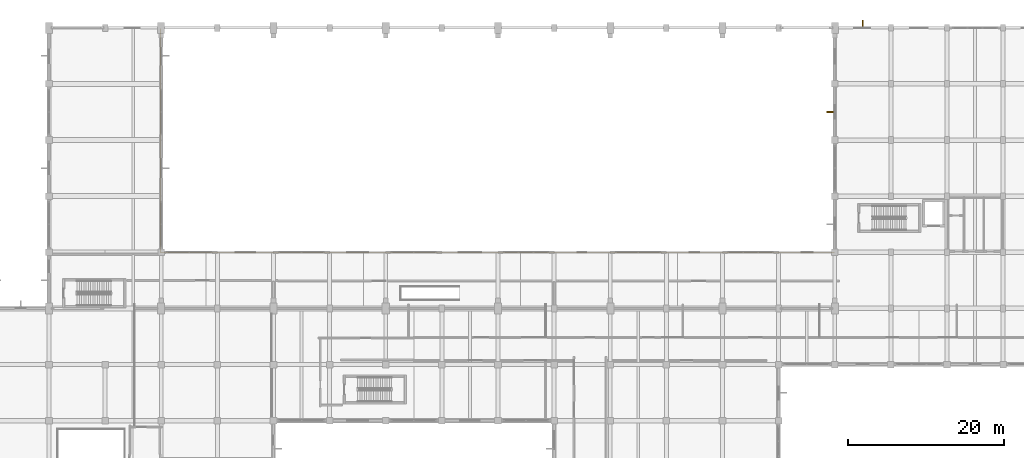
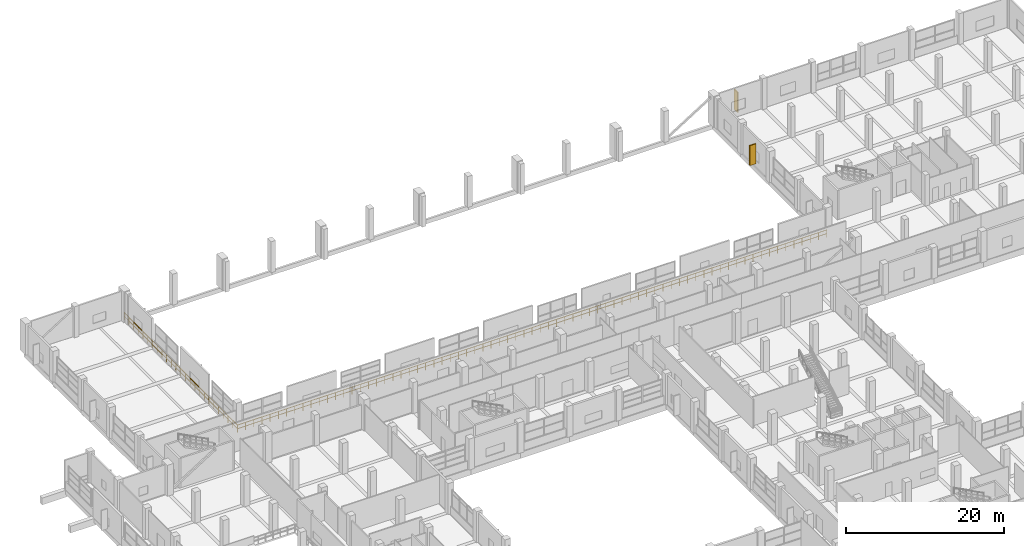
# One storey, part 179 of 181: 2 shading devices, 1 railing.
"""IFC4 building model written with IfcOpenShell, lengths in metres."""

from ifc_helpers import new_model, si_unit, direction, frame, origin, origin_2d, place, context, subcontext, project, spatial, rectangle, circle, extrude, material, type_object, element, save


model = new_model("IFC4")

# Units and contexts
model_context = context("Model", 3, precision=1e-05, world=origin(), true_north=direction((0.0, 1.0)))
body_context = subcontext(model_context, "Body", "Model", "MODEL_VIEW")
ifc_project = project(units=[si_unit("LENGTHUNIT", "METRE"), si_unit("AREAUNIT", "SQUARE_METRE"), si_unit("VOLUMEUNIT", "CUBIC_METRE"), si_unit("PLANEANGLEUNIT", "RADIAN"), si_unit("MASSUNIT", "GRAM", prefix="KILO")], contexts=[model_context])

# Site, building, storey
site_placement = place(None, origin())
site = spatial("IfcSite", under=ifc_project, at=site_placement, CompositionType="ELEMENT")
building_placement = place(site_placement, origin())
building = spatial("IfcBuilding", under=site, at=building_placement, Name="Seraya Terrace Polytechnic", CompositionType="ELEMENT")
storey_placement = place(building_placement, frame((0.0, 0.0, 4.800048828125)))
storey = spatial("IfcBuildingStorey", under=building, at=storey_placement, Name="L01", CompositionType="ELEMENT", Elevation=4.800048828125)

# Shading devices
ifc_material_1 = material(Name="Precast concrete C40/50", Category="concrete")
shading_device_type = type_object("IfcShadingDeviceType", Name="BS-F1", PredefinedType="JALOUSIE", material=ifc_material_1)
for number, where, z_axis, x_axis, name in (
    (1, (114.64990234375, 104.39990234375, 0.449951171875), (0.0, 0.0, 1.0), (-1.0, 0.0, 0.0), "Precast concrete brise-soleil fin L01"),
    (2, (118.800048828125, 115.75, 0.449951171875), (0.0, 0.0, 1.0), (0.0, 1.0, 0.0), "Precast concrete brise-soleil fin L01"),
):
    element("IfcShadingDevice", number, at=place(storey_placement, frame(where, z_axis=z_axis, x_axis=x_axis)), inside=storey, type_object=shading_device_type, Name=name, PredefinedType="JALOUSIE", context=body_context, shape_type="SweptSolid", body=[
        extrude(rectangle(XDim=0.89990234375, YDim=0.14990234375, at=origin_2d()), origin(), (0.0, 0.0, 1.0), 3.10009765625),
    ])

# Railing
ifc_material_2 = material(Name="Steel S355J2", Category="steel")
railing_type = type_object("IfcRailingType", Name="GR-02", PredefinedType="GUARDRAIL", material=ifc_material_2)
railing_placement = place(storey_placement, frame((28.739990234375, 115.080078125, 0.0)))
element("IfcRailing", 3, at=railing_placement, inside=storey, type_object=railing_type, Name="Workshop L01 crane gallery guardrail", PredefinedType="GUARDRAIL", context=body_context, shape_type="SweptSolid", body=[
    extrude(circle(Radius=0.02392578125, at=origin_2d()), frame((0.0, 0.0, 1.10595703125), z_axis=(0.0, -1.0, 0.0), x_axis=(1.0, 0.0, 0.0)), (0.0, 0.0, 1.0), 28.739990234375),
    extrude(circle(Radius=0.02392578125, at=origin_2d()), frame((0.0, 0.0, 0.550048828125), z_axis=(0.0, -1.0, 0.0), x_axis=(1.0, 0.0, 0.0)), (0.0, 0.0, 1.0), 28.739990234375),
    extrude(circle(Radius=0.02392578125, at=origin_2d()), frame((0.0, -28.739990234375, 1.10595703125), z_axis=(1.0, 0.0, 0.0), x_axis=(0.0, 1.0, 0.0)), (0.0, 0.0, 1.0), 86.340087890625),
    extrude(circle(Radius=0.02392578125, at=origin_2d()), frame((0.0, -28.739990234375, 0.550048828125), z_axis=(1.0, 0.0, 0.0), x_axis=(0.0, 1.0, 0.0)), (0.0, 0.0, 1.0), 86.340087890625),
    extrude(circle(Radius=0.02099609375, at=origin_2d()), origin(), (0.0, 0.0, 1.0), 1.081787109375),
    extrude(circle(Radius=0.02099609375, at=origin_2d()), frame((0.0, -1.197509765625, 0.0)), (0.0, 0.0, 1.0), 1.081787109375),
    extrude(circle(Radius=0.02099609375, at=origin_2d()), frame((0.0, -2.39501953125, 0.0)), (0.0, 0.0, 1.0), 1.081787109375),
    extrude(circle(Radius=0.02099609375, at=origin_2d()), frame((0.0, -3.592529296875, 0.0)), (0.0, 0.0, 1.0), 1.081787109375),
    extrude(circle(Radius=0.02099609375, at=origin_2d()), frame((0.0, -4.7900390625, 0.0)), (0.0, 0.0, 1.0), 1.081787109375),
    extrude(circle(Radius=0.02099609375, at=origin_2d()), frame((0.0, -5.987548828125, 0.0)), (0.0, 0.0, 1.0), 1.081787109375),
    extrude(circle(Radius=0.02099609375, at=origin_2d()), frame((0.0, -7.18505859375, 0.0)), (0.0, 0.0, 1.0), 1.081787109375),
    extrude(circle(Radius=0.02099609375, at=origin_2d()), frame((0.0, -8.382568359375, 0.0)), (0.0, 0.0, 1.0), 1.081787109375),
    extrude(circle(Radius=0.02099609375, at=origin_2d()), frame((0.0, -9.580078125, 0.0)), (0.0, 0.0, 1.0), 1.081787109375),
    extrude(circle(Radius=0.02099609375, at=origin_2d()), frame((0.0, -10.777587890625, 0.0)), (0.0, 0.0, 1.0), 1.081787109375),
    extrude(circle(Radius=0.02099609375, at=origin_2d()), frame((0.0, -11.97509765625, 0.0)), (0.0, 0.0, 1.0), 1.081787109375),
    extrude(circle(Radius=0.02099609375, at=origin_2d()), frame((0.0, -13.172607421875, 0.0)), (0.0, 0.0, 1.0), 1.081787109375),
    extrude(circle(Radius=0.02099609375, at=origin_2d()), frame((0.0, -14.3701171875, 0.0)), (0.0, 0.0, 1.0), 1.081787109375),
    extrude(circle(Radius=0.02099609375, at=origin_2d()), frame((0.0, -15.5673828125, 0.0)), (0.0, 0.0, 1.0), 1.081787109375),
    extrude(circle(Radius=0.02099609375, at=origin_2d()), frame((0.0, -16.764892578125, 0.0)), (0.0, 0.0, 1.0), 1.081787109375),
    extrude(circle(Radius=0.02099609375, at=origin_2d()), frame((0.0, -17.96240234375, 0.0)), (0.0, 0.0, 1.0), 1.081787109375),
    extrude(circle(Radius=0.02099609375, at=origin_2d()), frame((0.0, -19.159912109375, 0.0)), (0.0, 0.0, 1.0), 1.081787109375),
    extrude(circle(Radius=0.02099609375, at=origin_2d()), frame((0.0, -20.357421875, 0.0)), (0.0, 0.0, 1.0), 1.081787109375),
    extrude(circle(Radius=0.02099609375, at=origin_2d()), frame((0.0, -21.554931640625, 0.0)), (0.0, 0.0, 1.0), 1.081787109375),
    extrude(circle(Radius=0.02099609375, at=origin_2d()), frame((0.0, -22.75244140625, 0.0)), (0.0, 0.0, 1.0), 1.081787109375),
    extrude(circle(Radius=0.02099609375, at=origin_2d()), frame((0.0, -23.949951171875, 0.0)), (0.0, 0.0, 1.0), 1.081787109375),
    extrude(circle(Radius=0.02099609375, at=origin_2d()), frame((0.0, -25.1474609375, 0.0)), (0.0, 0.0, 1.0), 1.081787109375),
    extrude(circle(Radius=0.02099609375, at=origin_2d()), frame((0.0, -26.344970703125, 0.0)), (0.0, 0.0, 1.0), 1.081787109375),
    extrude(circle(Radius=0.02099609375, at=origin_2d()), frame((0.0, -27.54248046875, 0.0)), (0.0, 0.0, 1.0), 1.081787109375),
    extrude(circle(Radius=0.02099609375, at=origin_2d()), frame((0.0, -28.739990234375, 0.0)), (0.0, 0.0, 1.0), 1.081787109375),
    extrude(circle(Radius=0.02099609375, at=origin_2d()), frame((1.19921875, -28.739990234375, 0.0)), (0.0, 0.0, 1.0), 1.081787109375),
    extrude(circle(Radius=0.02099609375, at=origin_2d()), frame((2.3984375, -28.739990234375, 0.0)), (0.0, 0.0, 1.0), 1.081787109375),
    extrude(circle(Radius=0.02099609375, at=origin_2d()), frame((3.597412109375, -28.739990234375, 0.0)), (0.0, 0.0, 1.0), 1.081787109375),
    extrude(circle(Radius=0.02099609375, at=origin_2d()), frame((4.796630859375, -28.739990234375, 0.0)), (0.0, 0.0, 1.0), 1.081787109375),
    extrude(circle(Radius=0.02099609375, at=origin_2d()), frame((5.995849609375, -28.739990234375, 0.0)), (0.0, 0.0, 1.0), 1.081787109375),
    extrude(circle(Radius=0.02099609375, at=origin_2d()), frame((7.195068359375, -28.739990234375, 0.0)), (0.0, 0.0, 1.0), 1.081787109375),
    extrude(circle(Radius=0.02099609375, at=origin_2d()), frame((8.394287109375, -28.739990234375, 0.0)), (0.0, 0.0, 1.0), 1.081787109375),
    extrude(circle(Radius=0.02099609375, at=origin_2d()), frame((9.59326171875, -28.739990234375, 0.0)), (0.0, 0.0, 1.0), 1.081787109375),
    extrude(circle(Radius=0.02099609375, at=origin_2d()), frame((10.79248046875, -28.739990234375, 0.0)), (0.0, 0.0, 1.0), 1.081787109375),
    extrude(circle(Radius=0.02099609375, at=origin_2d()), frame((11.99169921875, -28.739990234375, 0.0)), (0.0, 0.0, 1.0), 1.081787109375),
    extrude(circle(Radius=0.02099609375, at=origin_2d()), frame((13.19091796875, -28.739990234375, 0.0)), (0.0, 0.0, 1.0), 1.081787109375),
    extrude(circle(Radius=0.02099609375, at=origin_2d()), frame((14.39013671875, -28.739990234375, 0.0)), (0.0, 0.0, 1.0), 1.081787109375),
    extrude(circle(Radius=0.02099609375, at=origin_2d()), frame((15.589111328125, -28.739990234375, 0.0)), (0.0, 0.0, 1.0), 1.081787109375),
    extrude(circle(Radius=0.02099609375, at=origin_2d()), frame((16.788330078125, -28.739990234375, 0.0)), (0.0, 0.0, 1.0), 1.081787109375),
    extrude(circle(Radius=0.02099609375, at=origin_2d()), frame((17.987548828125, -28.739990234375, 0.0)), (0.0, 0.0, 1.0), 1.081787109375),
    extrude(circle(Radius=0.02099609375, at=origin_2d()), frame((19.186767578125, -28.739990234375, 0.0)), (0.0, 0.0, 1.0), 1.081787109375),
    extrude(circle(Radius=0.02099609375, at=origin_2d()), frame((20.3857421875, -28.739990234375, 0.0)), (0.0, 0.0, 1.0), 1.081787109375),
    extrude(circle(Radius=0.02099609375, at=origin_2d()), frame((21.5849609375, -28.739990234375, 0.0)), (0.0, 0.0, 1.0), 1.081787109375),
    extrude(circle(Radius=0.02099609375, at=origin_2d()), frame((22.7841796875, -28.739990234375, 0.0)), (0.0, 0.0, 1.0), 1.081787109375),
    extrude(circle(Radius=0.02099609375, at=origin_2d()), frame((23.9833984375, -28.739990234375, 0.0)), (0.0, 0.0, 1.0), 1.081787109375),
    extrude(circle(Radius=0.02099609375, at=origin_2d()), frame((25.1826171875, -28.739990234375, 0.0)), (0.0, 0.0, 1.0), 1.081787109375),
    extrude(circle(Radius=0.02099609375, at=origin_2d()), frame((26.381591796875, -28.739990234375, 0.0)), (0.0, 0.0, 1.0), 1.081787109375),
    extrude(circle(Radius=0.02099609375, at=origin_2d()), frame((27.580810546875, -28.739990234375, 0.0)), (0.0, 0.0, 1.0), 1.081787109375),
    extrude(circle(Radius=0.02099609375, at=origin_2d()), frame((28.780029296875, -28.739990234375, 0.0)), (0.0, 0.0, 1.0), 1.081787109375),
    extrude(circle(Radius=0.02099609375, at=origin_2d()), frame((29.979248046875, -28.739990234375, 0.0)), (0.0, 0.0, 1.0), 1.081787109375),
    extrude(circle(Radius=0.02099609375, at=origin_2d()), frame((31.178466796875, -28.739990234375, 0.0)), (0.0, 0.0, 1.0), 1.081787109375),
    extrude(circle(Radius=0.02099609375, at=origin_2d()), frame((32.37744140625, -28.739990234375, 0.0)), (0.0, 0.0, 1.0), 1.081787109375),
    extrude(circle(Radius=0.02099609375, at=origin_2d()), frame((33.57666015625, -28.739990234375, 0.0)), (0.0, 0.0, 1.0), 1.081787109375),
    extrude(circle(Radius=0.02099609375, at=origin_2d()), frame((34.77587890625, -28.739990234375, 0.0)), (0.0, 0.0, 1.0), 1.081787109375),
    extrude(circle(Radius=0.02099609375, at=origin_2d()), frame((35.97509765625, -28.739990234375, 0.0)), (0.0, 0.0, 1.0), 1.081787109375),
    extrude(circle(Radius=0.02099609375, at=origin_2d()), frame((37.17431640625, -28.739990234375, 0.0)), (0.0, 0.0, 1.0), 1.081787109375),
    extrude(circle(Radius=0.02099609375, at=origin_2d()), frame((38.373291015625, -28.739990234375, 0.0)), (0.0, 0.0, 1.0), 1.081787109375),
    extrude(circle(Radius=0.02099609375, at=origin_2d()), frame((39.572509765625, -28.739990234375, 0.0)), (0.0, 0.0, 1.0), 1.081787109375),
    extrude(circle(Radius=0.02099609375, at=origin_2d()), frame((40.771728515625, -28.739990234375, 0.0)), (0.0, 0.0, 1.0), 1.081787109375),
    extrude(circle(Radius=0.02099609375, at=origin_2d()), frame((41.970947265625, -28.739990234375, 0.0)), (0.0, 0.0, 1.0), 1.081787109375),
    extrude(circle(Radius=0.02099609375, at=origin_2d()), frame((43.169921875, -28.739990234375, 0.0)), (0.0, 0.0, 1.0), 1.081787109375),
    extrude(circle(Radius=0.02099609375, at=origin_2d()), frame((44.369140625, -28.739990234375, 0.0)), (0.0, 0.0, 1.0), 1.081787109375),
    extrude(circle(Radius=0.02099609375, at=origin_2d()), frame((45.568359375, -28.739990234375, 0.0)), (0.0, 0.0, 1.0), 1.081787109375),
    extrude(circle(Radius=0.02099609375, at=origin_2d()), frame((46.767578125, -28.739990234375, 0.0)), (0.0, 0.0, 1.0), 1.081787109375),
    extrude(circle(Radius=0.02099609375, at=origin_2d()), frame((47.966796875, -28.739990234375, 0.0)), (0.0, 0.0, 1.0), 1.081787109375),
    extrude(circle(Radius=0.02099609375, at=origin_2d()), frame((49.165771484375, -28.739990234375, 0.0)), (0.0, 0.0, 1.0), 1.081787109375),
    extrude(circle(Radius=0.02099609375, at=origin_2d()), frame((50.364990234375, -28.739990234375, 0.0)), (0.0, 0.0, 1.0), 1.081787109375),
    extrude(circle(Radius=0.02099609375, at=origin_2d()), frame((51.564208984375, -28.739990234375, 0.0)), (0.0, 0.0, 1.0), 1.081787109375),
    extrude(circle(Radius=0.02099609375, at=origin_2d()), frame((52.763427734375, -28.739990234375, 0.0)), (0.0, 0.0, 1.0), 1.081787109375),
    extrude(circle(Radius=0.02099609375, at=origin_2d()), frame((53.962646484375, -28.739990234375, 0.0)), (0.0, 0.0, 1.0), 1.081787109375),
    extrude(circle(Radius=0.02099609375, at=origin_2d()), frame((55.16162109375, -28.739990234375, 0.0)), (0.0, 0.0, 1.0), 1.081787109375),
    extrude(circle(Radius=0.02099609375, at=origin_2d()), frame((56.36083984375, -28.739990234375, 0.0)), (0.0, 0.0, 1.0), 1.081787109375),
    extrude(circle(Radius=0.02099609375, at=origin_2d()), frame((57.56005859375, -28.739990234375, 0.0)), (0.0, 0.0, 1.0), 1.081787109375),
    extrude(circle(Radius=0.02099609375, at=origin_2d()), frame((58.75927734375, -28.739990234375, 0.0)), (0.0, 0.0, 1.0), 1.081787109375),
    extrude(circle(Radius=0.02099609375, at=origin_2d()), frame((59.95849609375, -28.739990234375, 0.0)), (0.0, 0.0, 1.0), 1.081787109375),
    extrude(circle(Radius=0.02099609375, at=origin_2d()), frame((61.157470703125, -28.739990234375, 0.0)), (0.0, 0.0, 1.0), 1.081787109375),
    extrude(circle(Radius=0.02099609375, at=origin_2d()), frame((62.356689453125, -28.739990234375, 0.0)), (0.0, 0.0, 1.0), 1.081787109375),
    extrude(circle(Radius=0.02099609375, at=origin_2d()), frame((63.555908203125, -28.739990234375, 0.0)), (0.0, 0.0, 1.0), 1.081787109375),
    extrude(circle(Radius=0.02099609375, at=origin_2d()), frame((64.755126953125, -28.739990234375, 0.0)), (0.0, 0.0, 1.0), 1.081787109375),
    extrude(circle(Radius=0.02099609375, at=origin_2d()), frame((65.954345703125, -28.739990234375, 0.0)), (0.0, 0.0, 1.0), 1.081787109375),
    extrude(circle(Radius=0.02099609375, at=origin_2d()), frame((67.1533203125, -28.739990234375, 0.0)), (0.0, 0.0, 1.0), 1.081787109375),
    extrude(circle(Radius=0.02099609375, at=origin_2d()), frame((68.3525390625, -28.739990234375, 0.0)), (0.0, 0.0, 1.0), 1.081787109375),
    extrude(circle(Radius=0.02099609375, at=origin_2d()), frame((69.5517578125, -28.739990234375, 0.0)), (0.0, 0.0, 1.0), 1.081787109375),
    extrude(circle(Radius=0.02099609375, at=origin_2d()), frame((70.7509765625, -28.739990234375, 0.0)), (0.0, 0.0, 1.0), 1.081787109375),
    extrude(circle(Radius=0.02099609375, at=origin_2d()), frame((71.9501953125, -28.739990234375, 0.0)), (0.0, 0.0, 1.0), 1.081787109375),
    extrude(circle(Radius=0.02099609375, at=origin_2d()), frame((73.149169921875, -28.739990234375, 0.0)), (0.0, 0.0, 1.0), 1.081787109375),
    extrude(circle(Radius=0.02099609375, at=origin_2d()), frame((74.348388671875, -28.739990234375, 0.0)), (0.0, 0.0, 1.0), 1.081787109375),
    extrude(circle(Radius=0.02099609375, at=origin_2d()), frame((75.547607421875, -28.739990234375, 0.0)), (0.0, 0.0, 1.0), 1.081787109375),
    extrude(circle(Radius=0.02099609375, at=origin_2d()), frame((76.746826171875, -28.739990234375, 0.0)), (0.0, 0.0, 1.0), 1.081787109375),
    extrude(circle(Radius=0.02099609375, at=origin_2d()), frame((77.94580078125, -28.739990234375, 0.0)), (0.0, 0.0, 1.0), 1.081787109375),
    extrude(circle(Radius=0.02099609375, at=origin_2d()), frame((79.14501953125, -28.739990234375, 0.0)), (0.0, 0.0, 1.0), 1.081787109375),
    extrude(circle(Radius=0.02099609375, at=origin_2d()), frame((80.34423828125, -28.739990234375, 0.0)), (0.0, 0.0, 1.0), 1.081787109375),
    extrude(circle(Radius=0.02099609375, at=origin_2d()), frame((81.54345703125, -28.739990234375, 0.0)), (0.0, 0.0, 1.0), 1.081787109375),
    extrude(circle(Radius=0.02099609375, at=origin_2d()), frame((82.74267578125, -28.739990234375, 0.0)), (0.0, 0.0, 1.0), 1.081787109375),
    extrude(circle(Radius=0.02099609375, at=origin_2d()), frame((83.941650390625, -28.739990234375, 0.0)), (0.0, 0.0, 1.0), 1.081787109375),
    extrude(circle(Radius=0.02099609375, at=origin_2d()), frame((85.140869140625, -28.739990234375, 0.0)), (0.0, 0.0, 1.0), 1.081787109375),
    extrude(circle(Radius=0.02099609375, at=origin_2d()), frame((86.340087890625, -28.739990234375, 0.0)), (0.0, 0.0, 1.0), 1.081787109375),
])

save(model, "model.ifc")
